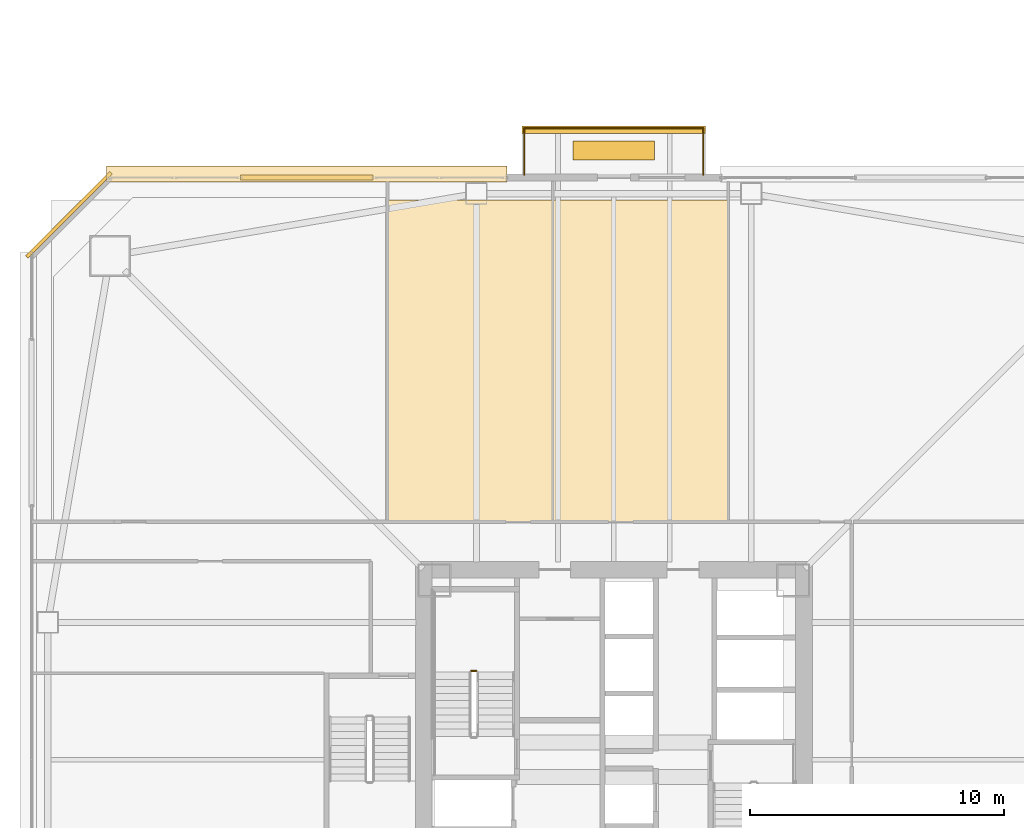
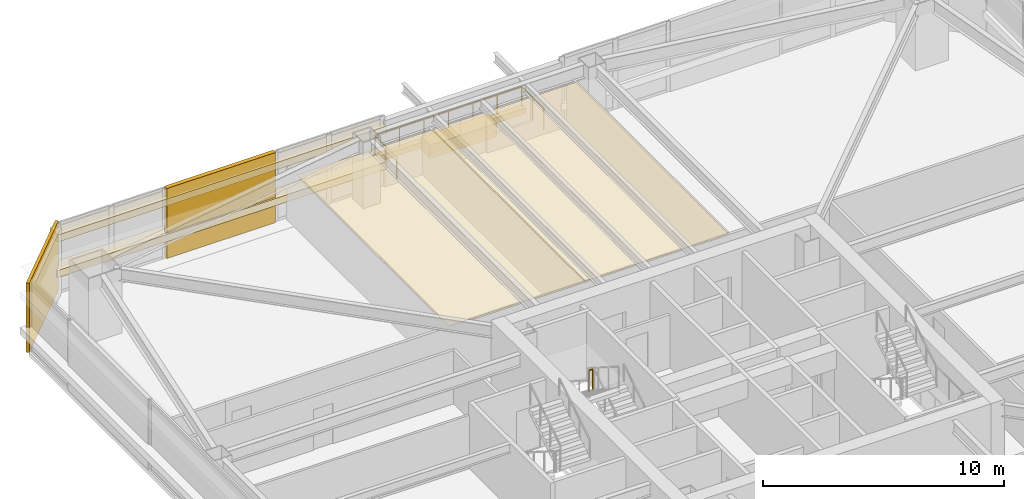
# One storey, part 47 of 51: 8 coverings, 4 railings.
"""IFC4 building model written with IfcOpenShell, lengths in metres."""

from ifc_helpers import new_model, si_unit, direction, frame, origin, origin_2d, place, context, subcontext, project, spatial, polyline, rectangle, outline, extrude, material, layer, layer_set, type_object, element, save


model = new_model("IFC4")

# Units and contexts
model_context = context("Model", 3, precision=1e-05, world=origin(), true_north=direction((0.0, 1.0)))
body_context = subcontext(model_context, "Body", "Model", "MODEL_VIEW")
ifc_project = project(units=[si_unit("LENGTHUNIT", "METRE"), si_unit("AREAUNIT", "SQUARE_METRE"), si_unit("VOLUMEUNIT", "CUBIC_METRE"), si_unit("PLANEANGLEUNIT", "RADIAN"), si_unit("MASSUNIT", "GRAM", prefix="KILO")], contexts=[model_context])

# Site, building, storey
site_placement = place(None, origin())
site = spatial("IfcSite", under=ifc_project, at=site_placement, CompositionType="ELEMENT")
building_placement = place(site_placement, origin())
building = spatial("IfcBuilding", under=site, at=building_placement, Name="Tashvorn Skyway Center", CompositionType="ELEMENT")
storey_placement = place(building_placement, frame((0.0, 0.0, 49.449951171875)))
storey = spatial("IfcBuildingStorey", under=building, at=storey_placement, Name="L12", CompositionType="ELEMENT", Elevation=49.449951171875)

# Coverings
ifc_material_1 = material(Name="Precast concrete C40/50", Category="concrete")
ifc_layer_1 = layer(ifc_material_1, 0.199951171875)
ifc_layer_set_1 = layer_set([ifc_layer_1], Name="Precast concrete C40/50")
covering_type_1 = type_object("IfcCoveringType", Name="COV-BRACE-CLAD", PredefinedType="CLADDING", material=ifc_layer_set_1)
covering_1_placement = place(storey_placement, frame((29.93505859375, 54.8798828125, 0.0), z_axis=(0.0, 0.0, 1.0), x_axis=(1.0, 0.0, 0.0)))
element("IfcCovering", 1, at=covering_1_placement, inside=storey, type_object=covering_type_1, Name="Tower 1 L12 North Curtain Wall L Mega-Brace Cladding Band 1", PredefinedType="CLADDING", context=body_context, shape_type="SweptSolid", body=[
    extrude(rectangle(XDim=5.2099609375, YDim=0.199951171875, at=origin_2d()), origin(), (0.0, 0.0, 1.0), 3.550048828125),
])
ifc_material_2 = material(Name="Mineral-fibre acoustic ceiling tile on suspended grid")
ifc_layer_2 = layer(ifc_material_2, 0.02001953125)
ifc_layer_set_2 = layer_set([ifc_layer_2], Name="Mineral-fibre acoustic ceiling tile on suspended grid")
covering_type_2 = type_object("IfcCoveringType", Name="COV-CEIL-20", PredefinedType="CEILING", material=ifc_layer_set_2)
covering_2_placement = place(storey_placement, frame((0.0, 0.0, 2.68310546875)))
element("IfcCovering", 2, at=covering_2_placement, inside=storey, type_object=covering_type_2, Name="Tower 1 L12 Conference Room Acoustic Ceiling", PredefinedType="CEILING", context=body_context, shape_type="SweptSolid", body=[
    extrude(outline(polyline([(33.10009765625, 41.35009765625), (39.60009765625, 41.35009765625), (39.60009765625, 54.0), (33.10009765625, 54.0), (33.10009765625, 41.35009765625)])), origin(), (0.0, 0.0, 1.0), 0.02001953125),
])
covering_3_placement = place(storey_placement, frame((0.0, 0.0, 2.68310546875)))
element("IfcCovering", 3, at=covering_3_placement, inside=storey, type_object=covering_type_2, Name="Tower 1 L12 Design Studio Acoustic Ceiling", PredefinedType="CEILING", context=body_context, shape_type="SweptSolid", body=[
    extrude(outline(polyline([(39.60009765625, 41.35009765625), (46.5, 41.35009765625), (46.5, 54.0), (39.60009765625, 54.0), (39.60009765625, 41.35009765625)])), origin(), (0.0, 0.0, 1.0), 0.02001953125),
])
ifc_material_3 = material(Name="Perforated ceramic-coated bronze aluminium solar screen", Category="aluminium")
ifc_layer_3 = layer(ifc_material_3, 0.85009765625)
ifc_layer_set_3 = layer_set([ifc_layer_3], Name="Perforated ceramic-coated bronze aluminium solar screen")
covering_type_3 = type_object("IfcCoveringType", Name="COV-SOLAR-BAND", PredefinedType="CLADDING", material=ifc_layer_set_3)
for number, where, z_axis, x_axis, name in (
    (4, (29.93505859375, 55.02001953125, 0.919921875), (0.0, 0.0, 1.0), (1.0, 0.0, 0.0), "L12 Perforated Ceramic-Metal Solar Screen Louvre Band North 1"),
    (5, (29.93505859375, 55.02001953125, 2.72021484375), (0.0, 0.0, 1.0), (1.0, 0.0, 0.0), "L12 Perforated Ceramic-Metal Solar Screen Louvre Band North 2"),
):
    element("IfcCovering", number, at=place(storey_placement, frame(where, z_axis=z_axis, x_axis=x_axis)), inside=storey, type_object=covering_type_3, Name=name, PredefinedType="CLADDING", context=body_context, shape_type="SweptSolid", body=[
        extrude(rectangle(XDim=15.75, YDim=0.639892578125, at=origin_2d()), origin(), (0.0, 0.0, 1.0), 0.360107421875),
    ])
ifc_layer_4 = layer(ifc_material_1, 0.35009765625)
ifc_layer_set_4 = layer_set([ifc_layer_4], Name="Precast concrete C40/50")
covering_type_4 = type_object("IfcCoveringType", Name="COV-STONE-TRIM", PredefinedType="CLADDING", material=ifc_layer_set_4)
covering_4_placement = place(storey_placement, frame((42.0, 56.760009765625, -0.16015625), z_axis=(0.0, 0.0, 1.0), x_axis=(1.0, 0.0, 0.0)))
element("IfcCovering", 6, at=covering_4_placement, inside=storey, type_object=covering_type_4, Name="Tower 1 L12 Spiral Terrace Terracotta Fascia", PredefinedType="CLADDING", context=body_context, shape_type="SweptSolid", body=[
    extrude(rectangle(XDim=7.199951171875, YDim=0.280029296875, at=origin_2d()), origin(), (0.0, 0.0, 1.0), 0.280029296875),
])
covering_5_placement = place(storey_placement, frame((42.0, 55.949951171875, 0.0), z_axis=(0.0, 0.0, 1.0), x_axis=(1.0, 0.0, 0.0)))
element("IfcCovering", 7, at=covering_5_placement, inside=storey, type_object=covering_type_4, Name="Tower 1 L12 Spiral Terrace Planter", PredefinedType="CLADDING", context=body_context, shape_type="SweptSolid", body=[
    extrude(rectangle(XDim=3.199951171875, YDim=0.75, at=origin_2d()), origin(), (0.0, 0.0, 1.0), 0.679931640625),
])
covering_6_placement = place(storey_placement, frame((20.580078125, 53.419921875, 0.02001953125), z_axis=(0.0, 0.0, 1.0), x_axis=(-0.707106781187, -0.707106781187, 0.0)))
element("IfcCovering", 8, at=covering_6_placement, inside=storey, type_object=covering_type_4, Name="Tower 1 L12 NW Mojave Limestone Corner Quoin", PredefinedType="CLADDING", context=body_context, shape_type="SweptSolid", body=[
    extrude(rectangle(XDim=4.685546875, YDim=0.139892578125, at=origin_2d()), origin(), (0.0, 0.0, 1.0), 3.510009765625),
])

# Railings
ifc_material_4 = material(Name="Galvanized steel S355", Category="steel")
railing_type_1 = type_object("IfcRailingType", Name="RAIL-GUARD-1120", PredefinedType="GUARDRAIL", material=ifc_material_4)
railing_1_placement = place(storey_placement, frame((38.47998046875, 55.0, 0.0)))
element("IfcRailing", 9, at=railing_1_placement, inside=storey, type_object=railing_type_1, Name="L12 Tower 1 Terrace Guardrail 01", PredefinedType="GUARDRAIL", context=body_context, shape_type="SweptSolid", body=[
    extrude(rectangle(XDim=0.048095703125, YDim=0.048095703125, at=origin_2d()), frame((0.0, 0.0, 1.09619140625), z_axis=(0.0, 1.0, 0.0), x_axis=(-1.0, 0.0, 0.0)), (0.0, 0.0, 1.0), 1.820068359375),
    extrude(rectangle(XDim=0.0419921875, YDim=0.0419921875, at=origin_2d()), origin(), (0.0, 0.0, 1.0), 1.072021484375),
    extrude(rectangle(XDim=0.0419921875, YDim=0.0419921875, at=origin_2d()), frame((0.0, 0.91015625, 0.0)), (0.0, 0.0, 1.0), 1.072021484375),
    extrude(rectangle(XDim=0.0419921875, YDim=0.0419921875, at=origin_2d()), frame((0.0, 1.820068359375, 0.0)), (0.0, 0.0, 1.0), 1.072021484375),
])
railing_2_placement = place(storey_placement, frame((38.47998046875, 56.820068359375, 0.0)))
element("IfcRailing", 10, at=railing_2_placement, inside=storey, type_object=railing_type_1, Name="L12 Tower 1 Terrace Guardrail 02", PredefinedType="GUARDRAIL", context=body_context, shape_type="SweptSolid", body=[
    extrude(rectangle(XDim=0.048095703125, YDim=0.048095703125, at=origin_2d()), frame((0.0, 0.0, 1.09619140625), z_axis=(1.0, 0.0, 0.0), x_axis=(0.0, 1.0, 0.0)), (0.0, 0.0, 1.0), 7.0400390625),
    extrude(rectangle(XDim=0.0419921875, YDim=0.0419921875, at=origin_2d()), origin(), (0.0, 0.0, 1.0), 1.072021484375),
    extrude(rectangle(XDim=0.0419921875, YDim=0.0419921875, at=origin_2d()), frame((1.17333984375, 0.0, 0.0)), (0.0, 0.0, 1.0), 1.072021484375),
    extrude(rectangle(XDim=0.0419921875, YDim=0.0419921875, at=origin_2d()), frame((2.3466796875, 0.0, 0.0)), (0.0, 0.0, 1.0), 1.072021484375),
    extrude(rectangle(XDim=0.0419921875, YDim=0.0419921875, at=origin_2d()), frame((3.52001953125, 0.0, 0.0)), (0.0, 0.0, 1.0), 1.072021484375),
    extrude(rectangle(XDim=0.0419921875, YDim=0.0419921875, at=origin_2d()), frame((4.693359375, 0.0, 0.0)), (0.0, 0.0, 1.0), 1.072021484375),
    extrude(rectangle(XDim=0.0419921875, YDim=0.0419921875, at=origin_2d()), frame((5.86669921875, 0.0, 0.0)), (0.0, 0.0, 1.0), 1.072021484375),
    extrude(rectangle(XDim=0.0419921875, YDim=0.0419921875, at=origin_2d()), frame((7.0400390625, 0.0, 0.0)), (0.0, 0.0, 1.0), 1.072021484375),
])
railing_3_placement = place(storey_placement, frame((45.52001953125, 56.820068359375, 0.0)))
element("IfcRailing", 11, at=railing_3_placement, inside=storey, type_object=railing_type_1, Name="L12 Tower 1 Terrace Guardrail 03", PredefinedType="GUARDRAIL", context=body_context, shape_type="SweptSolid", body=[
    extrude(rectangle(XDim=0.048095703125, YDim=0.048095703125, at=origin_2d()), frame((0.0, 0.0, 1.09619140625), z_axis=(0.0, -1.0, 0.0), x_axis=(1.0, 0.0, 0.0)), (0.0, 0.0, 1.0), 1.820068359375),
    extrude(rectangle(XDim=0.0419921875, YDim=0.0419921875, at=origin_2d()), origin(), (0.0, 0.0, 1.0), 1.072021484375),
    extrude(rectangle(XDim=0.0419921875, YDim=0.0419921875, at=origin_2d()), frame((0.0, -0.91015625, 0.0)), (0.0, 0.0, 1.0), 1.072021484375),
    extrude(rectangle(XDim=0.0419921875, YDim=0.0419921875, at=origin_2d()), frame((0.0, -1.820068359375, 0.0)), (0.0, 0.0, 1.0), 1.072021484375),
])
ifc_material_5 = material(Name="Painted galvanized steel S355", Category="steel")
railing_type_2 = type_object("IfcRailingType", Name="RAIL-STGUARD-1100", PredefinedType="GUARDRAIL", material=ifc_material_5)
railing_4_placement = place(storey_placement, frame((36.60009765625, 35.489990234375, 1.775146484375)))
element("IfcRailing", 12, at=railing_4_placement, inside=storey, type_object=railing_type_2, Name="L12 ST-T1-1 stair guard 2", PredefinedType="GUARDRAIL", context=body_context, shape_type="SweptSolid", body=[
    extrude(rectangle(XDim=0.048095703125, YDim=0.048095703125, at=origin_2d()), frame((0.0, 0.0, 1.076171875), z_axis=(-1.0, 0.0, 0.0), x_axis=(0.0, -1.0, 0.0)), (0.0, 0.0, 1.0), 0.2001953125),
    extrude(rectangle(XDim=0.0419921875, YDim=0.0419921875, at=origin_2d()), origin(), (0.0, 0.0, 1.0), 1.052001953125),
    extrude(rectangle(XDim=0.0419921875, YDim=0.0419921875, at=origin_2d()), frame((-0.2001953125, 0.0, 0.0)), (0.0, 0.0, 1.0), 1.052001953125),
])

save(model, "model.ifc")
